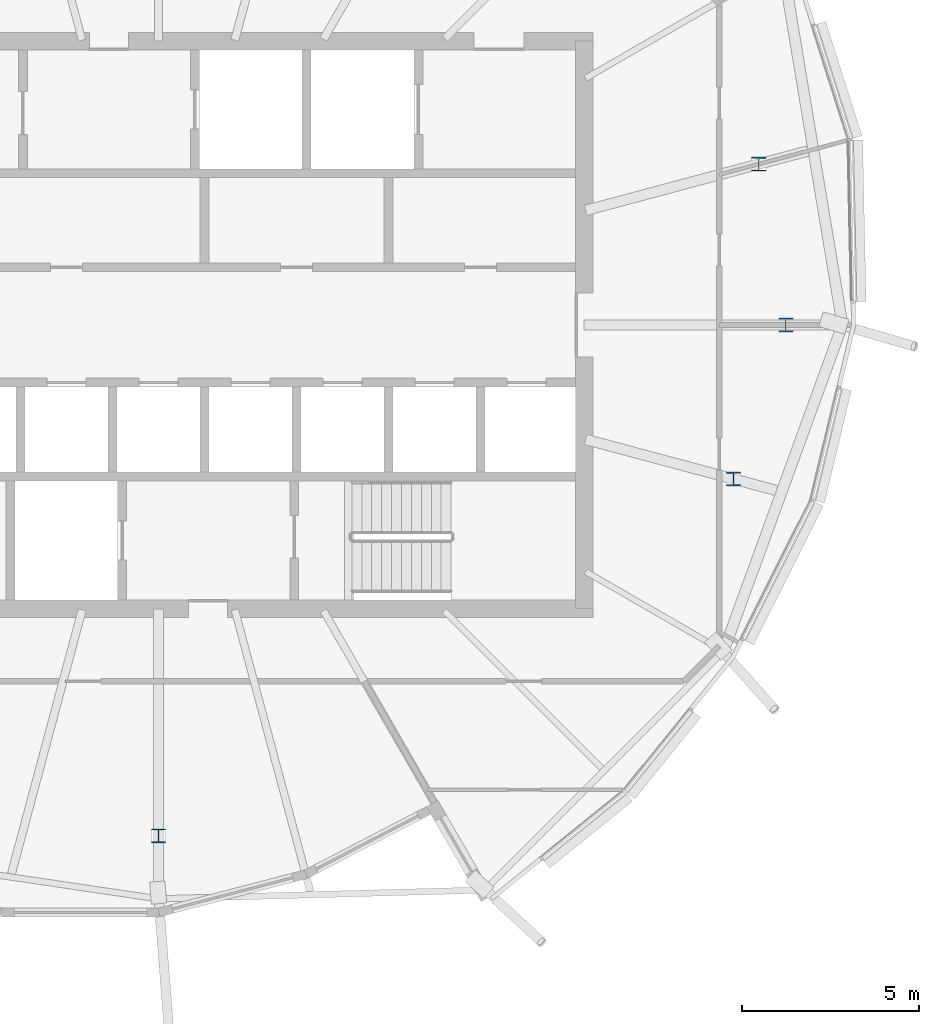
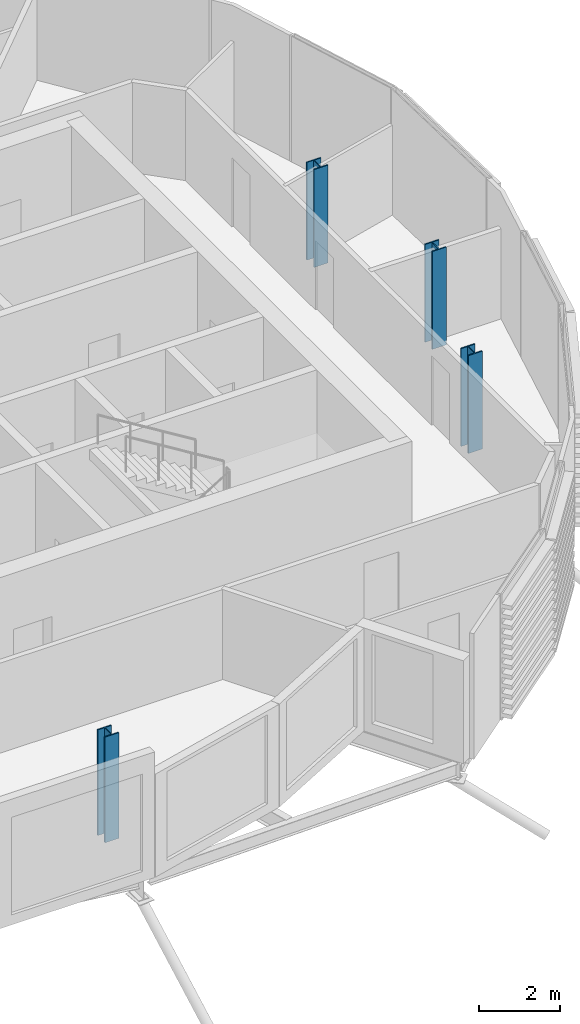
# One storey, part 2 of 35: 4 columns.
"""IFC4 building model written with IfcOpenShell, lengths in metres."""

from ifc_helpers import new_model, si_unit, direction, frame, origin, origin_2d, place, context, subcontext, project, spatial, i_section, extrude, material, material_profile, profile_set, type_object, element, save


model = new_model("IFC4")

# Units and contexts
model_context = context("Model", 3, precision=1e-05, world=origin(), true_north=direction((0.0, 1.0)))
body_context = subcontext(model_context, "Body", "Model", "MODEL_VIEW")
ifc_project = project(units=[si_unit("LENGTHUNIT", "METRE"), si_unit("AREAUNIT", "SQUARE_METRE"), si_unit("VOLUMEUNIT", "CUBIC_METRE"), si_unit("PLANEANGLEUNIT", "RADIAN"), si_unit("MASSUNIT", "GRAM", prefix="KILO")], contexts=[model_context])

# Site, building, storey
site_placement = place(None, origin())
site = spatial("IfcSite", under=ifc_project, at=site_placement, CompositionType="ELEMENT")
building_placement = place(site_placement, origin())
building = spatial("IfcBuilding", under=site, at=building_placement, Name="Rimbun Link Towers", CompositionType="ELEMENT")
storey_placement = place(building_placement, frame((0.0, 0.0, 225.699951171875)))
storey = spatial("IfcBuildingStorey", under=building, at=storey_placement, Name="L55", CompositionType="ELEMENT", Elevation=225.699951171875)

# Columns
ifc_material = material(Name="Steel S355J2", Category="steel")
ifc_material_profile = material_profile(ifc_material, i_section(OverallWidth=0.39892578125, OverallDepth=0.3935546875, WebThickness=0.022705078125, FlangeThickness=0.03662109375, at=origin_2d()), Name="UC 356x406x287")
ifc_profile_set = profile_set([ifc_material_profile], Name="Steel S355J2")
column_type = type_object("IfcColumnType", Name="UC 356x406x287", PredefinedType="COLUMN", material=ifc_profile_set)
column_placement = place(storey_placement, frame((31.75, -14.4033203125, -0.139892578125), z_axis=(0.0, 0.0, 1.0), x_axis=(1.0, 0.0, 0.0)))
element("IfcColumn", 1, at=column_placement, inside=storey, type_object=column_type, Name="Crease post T2 L55 15", PredefinedType="COLUMN", context=body_context, shape_type="SweptSolid", body=[
    extrude(i_section(OverallWidth=0.39892578125, OverallDepth=0.3935546875, WebThickness=0.022705078125, FlangeThickness=0.03662109375, at=origin_2d()), origin(), (0.0, 0.0, 1.0), 3.197265625),
])
for number, where, z_axis, x_axis, name in (
    (2, (47.955810546875, -4.34228515625, -0.139892578125), (0.0, 0.0, 1.0), (1.0, 0.0, 0.0), "Crease post T2 L55 20"),
    (3, (49.434326171875, 0.0, -0.139892578125), (0.0, 0.0, 1.0), (1.0, 0.0, 0.0), "Crease post T2 L55 21"),
    (4, (48.669189453125, 4.533447265625, -0.139892578125), (0.0, 0.0, 1.0), (1.0, 0.0, 0.0), "Crease post T2 L55 22"),
):
    element("IfcColumn", number, at=place(storey_placement, frame(where, z_axis=z_axis, x_axis=x_axis)), inside=storey, type_object=column_type, Name=name, PredefinedType="COLUMN", context=body_context, shape_type="SweptSolid", body=[
        extrude(i_section(OverallWidth=0.39892578125, OverallDepth=0.3935546875, WebThickness=0.022705078125, FlangeThickness=0.03662109375, at=origin_2d()), origin(), (0.0, 0.0, 1.0), 2.959228515625),
    ])

save(model, "model.ifc")
